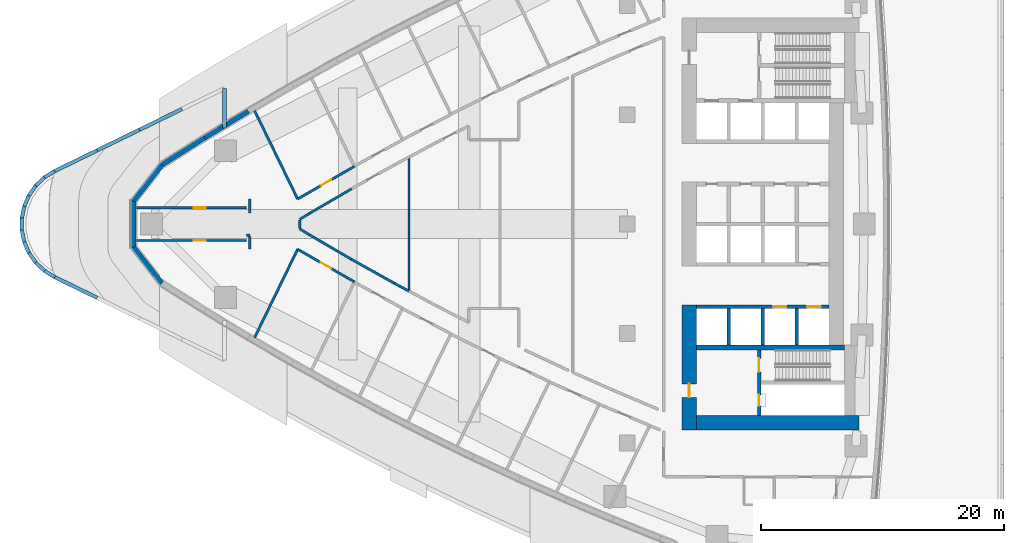
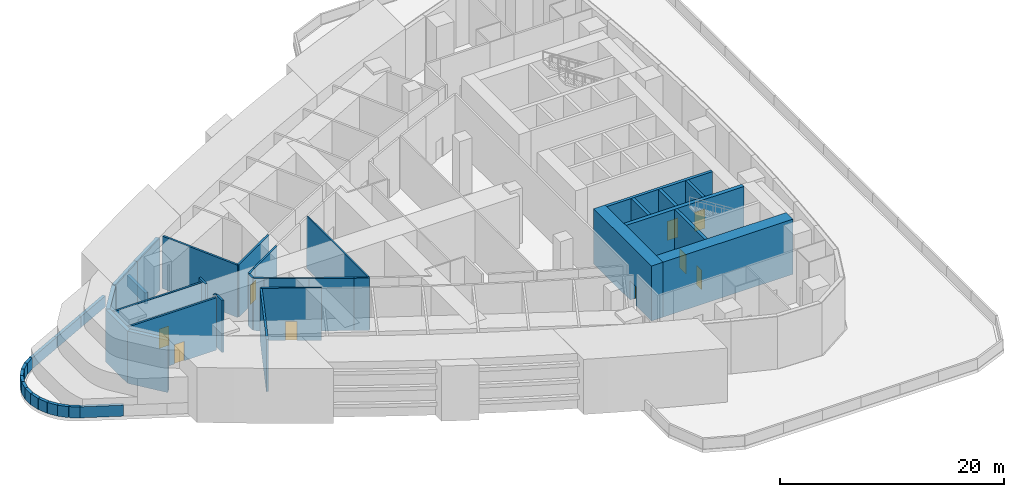
# One storey, part 3 of 14: 46 walls, 9 doors, 9 openings.
"""IFC4 building model written with IfcOpenShell, lengths in metres."""

from ifc_helpers import new_model, si_unit, direction, frame, frame_2d, origin, place, context, subcontext, project, spatial, polyline, rectangle, outline, extrude, material, layer, layer_set, type_object, element, fill, save


model = new_model("IFC4")

# Units and contexts
model_context = context("Model", 3, precision=1e-05, world=origin(), true_north=direction((0.0, 1.0)))
body_context = subcontext(model_context, "Body", "Model", "MODEL_VIEW")
ifc_project = project(units=[si_unit("LENGTHUNIT", "METRE"), si_unit("AREAUNIT", "SQUARE_METRE"), si_unit("VOLUMEUNIT", "CUBIC_METRE"), si_unit("PLANEANGLEUNIT", "RADIAN"), si_unit("MASSUNIT", "GRAM", prefix="KILO")], contexts=[model_context])

# Site, building, storey
site_placement = place(None, origin())
site = spatial("IfcSite", under=ifc_project, at=site_placement, CompositionType="ELEMENT")
building_placement = place(site_placement, origin())
building = spatial("IfcBuilding", under=site, at=building_placement, Name="Ostrand Prow Hotel Tower", CompositionType="ELEMENT")
storey_placement = place(building_placement, frame((0.0, 0.0, 29.0)))
storey = spatial("IfcBuildingStorey", under=building, at=storey_placement, Name="L05", CompositionType="ELEMENT", Elevation=29.0)

# Wall, opening, door
ifc_material_1 = material(Name="Concrete C80/95", Category="concrete")
ifc_layer_1 = layer(ifc_material_1, 1.199951171875)
ifc_layer_set_1 = layer_set([ifc_layer_1], Name="Concrete C80/95")
wall_type_1 = type_object("IfcWallType", Name="Core wall 1200 C80/95", PredefinedType="SHEAR", material=ifc_layer_set_1)
wall_1_placement = place(storey_placement, frame((50.10009765625, -16.949951171875, 0.0), z_axis=(0.0, 0.0, 1.0), x_axis=(0.0, 1.0, 0.0)))
wall_1 = element("IfcWall", 1, at=wall_1_placement, inside=storey, type_object=wall_type_1, Name="Core wall CW-W-S", PredefinedType="SHEAR", context=body_context, shape_type="SweptSolid", body=[
    extrude(rectangle(XDim=10.300048828125, YDim=1.199951171875, at=frame_2d((5.14990234375, 0.0))), origin(), (0.0, 0.0, 1.0), 6.0),
])
opening_1_placement = place(wall_1_placement, frame((2.699951171875, 0.0, 0.0)))
opening_1 = element("IfcOpeningElement", 2, at=opening_1_placement, cuts=wall_1, Name="Opening FD1", PredefinedType="OPENING", context=body_context, shape_type="SweptSolid", body=[
    extrude(rectangle(XDim=1.10009765625, YDim=2.10009765625, at=frame_2d((0.550048828125, 1.050048828125))), frame((0.0, 0.60986328125, 0.0), z_axis=(0.0, -1.0, 0.0), x_axis=(1.0, 0.0, 0.0)), (0.0, 0.0, 1.0), 1.219970703125),
])
ifc_material_2 = material(Name="Steel fire door", Category="steel")
door_type_1 = type_object("IfcDoorType", Name="Fire door 1100 EI120", OperationType="SINGLE_SWING_RIGHT", PredefinedType="DOOR", material=ifc_material_2)
door_1_placement = place(opening_1_placement, origin())
door_1 = element("IfcDoor", 3, at=door_1_placement, inside=storey, type_object=door_type_1, Name="FIRE DOOR", OperationType="SINGLE_SWING_RIGHT", OverallHeight=2.10009765625, OverallWidth=1.10009765625, PredefinedType="DOOR", context=body_context, shape_type="SweptSolid", body=[
    extrude(rectangle(XDim=1.10009765625, YDim=2.10009765625, at=frame_2d((0.550048828125, 1.050048828125))), frame((0.0, 0.02490234375, 0.0), z_axis=(0.0, -1.0, 0.0), x_axis=(1.0, 0.0, 0.0)), (0.0, 0.0, 1.0), 0.050048828125),
])
fill(opening_1, door_1)

# Wall
wall_2_placement = place(storey_placement, frame((50.699951171875, -16.35009765625, 0.0), z_axis=(0.0, 0.0, 1.0), x_axis=(1.0, 0.0, 0.0)))
element("IfcWall", 4, at=wall_2_placement, inside=storey, type_object=wall_type_1, Name="Core wall CW-S", PredefinedType="SHEAR", context=body_context, shape_type="SweptSolid", body=[
    extrude(rectangle(XDim=13.380126953125, YDim=1.199951171875, at=frame_2d((6.68994140625, 0.0))), origin(), (0.0, 0.0, 1.0), 6.0),
])

# Wall, openings, doors
ifc_material_3 = material(Name="Concrete C80/95", Category="concrete")
ifc_layer_2 = layer(ifc_material_3, 0.300048828125)
ifc_layer_set_2 = layer_set([ifc_layer_2], Name="Concrete C80/95")
wall_type_2 = type_object("IfcWallType", Name="Core wall 300 C80/95", PredefinedType="SHEAR", material=ifc_layer_set_2)
wall_3_placement = place(storey_placement, frame((50.699951171875, -6.800048828125, 0.0), z_axis=(0.0, 0.0, 1.0), x_axis=(1.0, 0.0, 0.0)))
wall_3 = element("IfcWall", 5, at=wall_3_placement, inside=storey, type_object=wall_type_2, Name="Core wall PW-L2-S", PredefinedType="SHEAR", context=body_context, shape_type="SweptSolid", body=[
    extrude(rectangle(XDim=10.900146484375, YDim=0.300048828125, at=frame_2d((5.4501953125, 0.0))), origin(), (0.0, 0.0, 1.0), 6.0),
])
opening_2_placement = place(wall_3_placement, frame((6.300048828125, 0.0, 0.0)))
opening_2 = element("IfcOpeningElement", 6, at=opening_2_placement, cuts=wall_3, Name="Opening LD", PredefinedType="OPENING", context=body_context, shape_type="SweptSolid", body=[
    extrude(rectangle(XDim=1.10009765625, YDim=2.10009765625, at=frame_2d((0.550048828125, 1.050048828125))), frame((0.0, 0.159912109375, 0.0), z_axis=(0.0, -1.0, 0.0), x_axis=(1.0, 0.0, 0.0)), (0.0, 0.0, 1.0), 0.320068359375),
])
opening_3_placement = place(wall_3_placement, frame((9.10009765625, 0.0, 0.0)))
opening_3 = element("IfcOpeningElement", 7, at=opening_3_placement, cuts=wall_3, Name="Opening LD", PredefinedType="OPENING", context=body_context, shape_type="SweptSolid", body=[
    extrude(rectangle(XDim=1.10009765625, YDim=2.10009765625, at=frame_2d((0.550048828125, 1.050048828125))), frame((0.0, 0.159912109375, 0.0), z_axis=(0.0, -1.0, 0.0), x_axis=(1.0, 0.0, 0.0)), (0.0, 0.0, 1.0), 0.320068359375),
])
ifc_material_4 = material(Name="Stainless steel door", Category="steel")
door_type_2 = type_object("IfcDoorType", Name="Lift landing door 1100", OperationType="DOUBLE_DOOR_SLIDING", PredefinedType="DOOR", material=ifc_material_4)
door_2_placement = place(opening_2_placement, origin())
door_2 = element("IfcDoor", 8, at=door_2_placement, inside=storey, type_object=door_type_2, Name="LIFT LANDING DOOR", OperationType="DOUBLE_DOOR_SLIDING", OverallHeight=2.10009765625, OverallWidth=1.10009765625, PredefinedType="DOOR", context=body_context, shape_type="SweptSolid", body=[
    extrude(rectangle(XDim=1.10009765625, YDim=2.10009765625, at=frame_2d((0.550048828125, 1.050048828125))), frame((0.0, 0.02490234375, 0.0), z_axis=(0.0, -1.0, 0.0), x_axis=(1.0, 0.0, 0.0)), (0.0, 0.0, 1.0), 0.050048828125),
])
fill(opening_2, door_2)
door_3_placement = place(opening_3_placement, origin())
door_3 = element("IfcDoor", 9, at=door_3_placement, inside=storey, type_object=door_type_2, Name="LIFT LANDING DOOR", OperationType="DOUBLE_DOOR_SLIDING", OverallHeight=2.10009765625, OverallWidth=1.10009765625, PredefinedType="DOOR", context=body_context, shape_type="SweptSolid", body=[
    extrude(rectangle(XDim=1.10009765625, YDim=2.10009765625, at=frame_2d((0.550048828125, 1.050048828125))), frame((0.0, 0.02490234375, 0.0), z_axis=(0.0, -1.0, 0.0), x_axis=(1.0, 0.0, 0.0)), (0.0, 0.0, 1.0), 0.050048828125),
])
fill(opening_3, door_3)

# Walls
for number, where, z_axis, x_axis, name in (
    (10, (53.35009765625, -9.949951171875, 0.0), (0.0, 0.0, 1.0), (0.0, 1.0, 0.0), "Core wall PW-R1-SA"),
    (11, (56.14990234375, -9.949951171875, 0.0), (0.0, 0.0, 1.0), (0.0, 1.0, 0.0), "Core wall PW-R2-SA"),
    (12, (58.949951171875, -9.949951171875, 0.0), (0.0, 0.0, 1.0), (0.0, 1.0, 0.0), "Core wall PW-R3-SA"),
):
    element("IfcWall", number, at=place(storey_placement, frame(where, z_axis=z_axis, x_axis=x_axis)), inside=storey, type_object=wall_type_2, Name=name, PredefinedType="SHEAR", context=body_context, shape_type="SweptSolid", body=[
        extrude(rectangle(XDim=3.0, YDim=0.300048828125, at=frame_2d((1.5, 0.0))), origin(), (0.0, 0.0, 1.0), 6.0),
    ])

# Wall, openings, doors
wall_4_placement = place(storey_placement, frame((55.85009765625, -15.75, 0.0), z_axis=(0.0, 0.0, 1.0), x_axis=(0.0, 1.0, 0.0)))
wall_4 = element("IfcWall", 13, at=wall_4_placement, inside=storey, type_object=wall_type_2, Name="Core wall PW-VS", PredefinedType="SHEAR", context=body_context, shape_type="SweptSolid", body=[
    extrude(rectangle(XDim=5.39990234375, YDim=0.300048828125, at=frame_2d((2.699951171875, 0.0))), origin(), (0.0, 0.0, 1.0), 6.0),
])
opening_4_placement = place(wall_4_placement, frame((3.60009765625, 0.0, 0.0)))
opening_4 = element("IfcOpeningElement", 14, at=opening_4_placement, cuts=wall_4, Name="Opening FD1", PredefinedType="OPENING", context=body_context, shape_type="SweptSolid", body=[
    extrude(rectangle(XDim=1.10009765625, YDim=2.10009765625, at=frame_2d((0.550048828125, 1.050048828125))), frame((0.0, 0.159912109375, 0.0), z_axis=(0.0, -1.0, 0.0), x_axis=(1.0, 0.0, 0.0)), (0.0, 0.0, 1.0), 0.320068359375),
])
opening_5_placement = place(wall_4_placement, frame((0.800048828125, 0.0, 0.0)))
opening_5 = element("IfcOpeningElement", 15, at=opening_5_placement, cuts=wall_4, Name="Opening FD2", PredefinedType="OPENING", context=body_context, shape_type="SweptSolid", body=[
    extrude(rectangle(XDim=0.89990234375, YDim=2.10009765625, at=frame_2d((0.449951171875, 1.050048828125))), frame((0.0, 0.159912109375, 0.0), z_axis=(0.0, -1.0, 0.0), x_axis=(1.0, 0.0, 0.0)), (0.0, 0.0, 1.0), 0.320068359375),
])
door_4_placement = place(opening_4_placement, origin())
door_4 = element("IfcDoor", 16, at=door_4_placement, inside=storey, type_object=door_type_1, Name="FIRE DOOR", OperationType="SINGLE_SWING_RIGHT", OverallHeight=2.10009765625, OverallWidth=1.10009765625, PredefinedType="DOOR", context=body_context, shape_type="SweptSolid", body=[
    extrude(rectangle(XDim=1.10009765625, YDim=2.10009765625, at=frame_2d((0.550048828125, 1.050048828125))), frame((0.0, 0.02490234375, 0.0), z_axis=(0.0, -1.0, 0.0), x_axis=(1.0, 0.0, 0.0)), (0.0, 0.0, 1.0), 0.050048828125),
])
fill(opening_4, door_4)
ifc_material_5 = material(Name="Steel fire door", Category="steel")
door_type_3 = type_object("IfcDoorType", Name="Fire door 900 EI120", OperationType="SINGLE_SWING_LEFT", PredefinedType="DOOR", material=ifc_material_5)
door_5_placement = place(opening_5_placement, origin())
door_5 = element("IfcDoor", 17, at=door_5_placement, inside=storey, type_object=door_type_3, Name="FIRE DOOR", OperationType="SINGLE_SWING_LEFT", OverallHeight=2.10009765625, OverallWidth=0.89990234375, PredefinedType="DOOR", context=body_context, shape_type="SweptSolid", body=[
    extrude(rectangle(XDim=0.89990234375, YDim=2.10009765625, at=frame_2d((0.449951171875, 1.050048828125))), frame((0.0, 0.02490234375, 0.0), z_axis=(0.0, -1.0, 0.0), x_axis=(1.0, 0.0, 0.0)), (0.0, 0.0, 1.0), 0.050048828125),
])
fill(opening_5, door_5)

# Walls
ifc_material_6 = material(Name="Concrete C80/95", Category="concrete")
ifc_layer_3 = layer(ifc_material_6, 0.39990234375)
ifc_layer_set_3 = layer_set([ifc_layer_3], Name="Concrete C80/95")
wall_type_3 = type_object("IfcWallType", Name="Core wall 400 C80/95", PredefinedType="SHEAR", material=ifc_layer_set_3)
wall_5_placement = place(storey_placement, frame((50.699951171875, -10.14990234375, 0.0), z_axis=(0.0, 0.0, 1.0), x_axis=(1.0, 0.0, 0.0)))
element("IfcWall", 18, at=wall_5_placement, inside=storey, type_object=wall_type_3, Name="Core wall PW-BS", PredefinedType="SHEAR", context=body_context, shape_type="SweptSolid", body=[
    extrude(rectangle(XDim=12.179931640625, YDim=0.39990234375, at=frame_2d((6.08984375, 0.0))), origin(), (0.0, 0.0, 1.0), 6.0),
])
ifc_material_7 = material(Name="Precast concrete C40/50", Category="concrete")
ifc_layer_4 = layer(ifc_material_7, 0.300048828125)
ifc_layer_set_4 = layer_set([ifc_layer_4], Name="Precast concrete C40/50")
wall_type_4 = type_object("IfcWallType", Name="Parapet 300 mm precast concrete", PredefinedType="PARAPET", material=ifc_layer_set_4)
wall_6_placement = place(storey_placement, frame((11.85009765625, 7.919677734375, 0.0), z_axis=(0.0, 0.0, 1.0), x_axis=(0.0, 1.0, 0.0)))
element("IfcWall", 19, at=wall_6_placement, inside=storey, type_object=wall_type_4, Name="Parapet 1.1.1", PredefinedType="PARAPET", context=body_context, shape_type="SweptSolid", body=[
    extrude(rectangle(XDim=3.2529296875, YDim=0.300048828125, at=frame_2d((1.62646484375, 0.0))), origin(), (0.0, 0.0, 1.0), 1.199951171875),
])
wall_7_placement = place(storey_placement, frame((8.35791015625, 9.47021484375, 0.0), z_axis=(0.0, 0.0, 1.0), x_axis=(-0.898856602105, -0.438242865148, 0.0)))
element("IfcWall", 20, at=wall_7_placement, inside=storey, type_object=wall_type_4, Name="Parapet 1.1.3", PredefinedType="PARAPET", context=body_context, shape_type="SweptSolid", body=[
    extrude(rectangle(XDim=3.88525390625, YDim=0.300048828125, at=frame_2d((1.942626953125, 0.0))), origin(), (0.0, 0.0, 1.0), 1.199951171875),
])
wall_8_placement = place(storey_placement, frame((4.86572265625, 7.767578125, 0.0), z_axis=(0.0, 0.0, 1.0), x_axis=(-0.898869287624, -0.438216845599, 0.0)))
element("IfcWall", 21, at=wall_8_placement, inside=storey, type_object=wall_type_4, Name="Parapet 1.1.4", PredefinedType="PARAPET", context=body_context, shape_type="SweptSolid", body=[
    extrude(rectangle(XDim=3.884765625, YDim=0.300048828125, at=frame_2d((1.9423828125, 0.0))), origin(), (0.0, 0.0, 1.0), 1.199951171875),
])
wall_9_placement = place(storey_placement, frame((1.373779296875, 6.065185546875, 0.0), z_axis=(0.0, 0.0, 1.0), x_axis=(-0.898881354941, -0.438192092282, 0.0)))
element("IfcWall", 22, at=wall_9_placement, inside=storey, type_object=wall_type_4, Name="Parapet 1.1.5", PredefinedType="PARAPET", context=body_context, shape_type="SweptSolid", body=[
    extrude(rectangle(XDim=3.885009765625, YDim=0.300048828125, at=frame_2d((1.9423828125, 0.0))), origin(), (0.0, 0.0, 1.0), 1.199951171875),
])
wall_10_placement = place(storey_placement, frame((-2.118408203125, 4.36279296875, 0.0), z_axis=(0.0, 0.0, 1.0), x_axis=(-0.849902691712, -0.526939668862, 0.0)))
element("IfcWall", 23, at=wall_10_placement, inside=storey, type_object=wall_type_4, Name="Parapet 1.1.6", PredefinedType="PARAPET", context=body_context, shape_type="SweptSolid", body=[
    extrude(rectangle(XDim=0.990966796875, YDim=0.300048828125, at=frame_2d((0.49560546875, 0.0))), origin(), (0.0, 0.0, 1.0), 1.199951171875),
])
for number, where, z_axis, x_axis, name in (
    (24, (-2.960693359375, 3.840576171875, 0.0), (0.0, 0.0, 1.0), (-0.725965731977, -0.687730874685, 0.0), "Parapet 1.1.7"),
    (25, (-3.674560546875, 3.164306640625, 0.0), (0.0, 0.0, 1.0), (-0.572278681089, -0.820059211991, 0.0), "Parapet 1.1.8"),
):
    element("IfcWall", number, at=place(storey_placement, frame(where, z_axis=z_axis, x_axis=x_axis)), inside=storey, type_object=wall_type_4, Name=name, PredefinedType="PARAPET", context=body_context, shape_type="SweptSolid", body=[
        extrude(rectangle(XDim=0.9833984375, YDim=0.300048828125, at=frame_2d((0.49169921875, 0.0))), origin(), (0.0, 0.0, 1.0), 1.199951171875),
    ])
wall_11_placement = place(storey_placement, frame((-4.2373046875, 2.35791015625, 0.0), z_axis=(0.0, 0.0, 1.0), x_axis=(-0.395327416851, -0.918540273198, 0.0)))
element("IfcWall", 26, at=wall_11_placement, inside=storey, type_object=wall_type_4, Name="Parapet 1.1.9", PredefinedType="PARAPET", context=body_context, shape_type="SweptSolid", body=[
    extrude(rectangle(XDim=0.983154296875, YDim=0.300048828125, at=frame_2d((0.49169921875, 0.0))), origin(), (0.0, 0.0, 1.0), 1.199951171875),
])
for number, where, z_axis, x_axis, name in (
    (27, (-4.6259765625, 1.454833984375, 0.0), (0.0, 0.0, 1.0), (-0.201603882415, -0.979467138088, 0.0), "Parapet 1.1.10"),
    (28, (-4.82421875, 0.49169921875, 0.0), (0.0, 0.0, 1.0), (0.0, -1.0, 0.0), "Parapet 1.1.11"),
    (29, (-4.82421875, -0.49169921875, 0.0), (0.0, 0.0, 1.0), (0.201603882415, -0.979467138088, 0.0), "Parapet 1.1.12"),
):
    element("IfcWall", number, at=place(storey_placement, frame(where, z_axis=z_axis, x_axis=x_axis)), inside=storey, type_object=wall_type_4, Name=name, PredefinedType="PARAPET", context=body_context, shape_type="SweptSolid", body=[
        extrude(rectangle(XDim=0.9833984375, YDim=0.300048828125, at=frame_2d((0.49169921875, 0.0))), origin(), (0.0, 0.0, 1.0), 1.199951171875),
    ])
wall_12_placement = place(storey_placement, frame((-4.6259765625, -1.454833984375, 0.0), z_axis=(0.0, 0.0, 1.0), x_axis=(0.395327416851, -0.918540273198, 0.0)))
element("IfcWall", 30, at=wall_12_placement, inside=storey, type_object=wall_type_4, Name="Parapet 1.1.13", PredefinedType="PARAPET", context=body_context, shape_type="SweptSolid", body=[
    extrude(rectangle(XDim=0.983154296875, YDim=0.300048828125, at=frame_2d((0.49169921875, 0.0))), origin(), (0.0, 0.0, 1.0), 1.199951171875),
])
for number, where, z_axis, x_axis, name in (
    (31, (-4.2373046875, -2.35791015625, 0.0), (0.0, 0.0, 1.0), (0.572278681089, -0.820059211991, 0.0), "Parapet 1.1.14"),
    (32, (-3.674560546875, -3.164306640625, 0.0), (0.0, 0.0, 1.0), (0.725965731977, -0.687730874685, 0.0), "Parapet 1.1.15"),
):
    element("IfcWall", number, at=place(storey_placement, frame(where, z_axis=z_axis, x_axis=x_axis)), inside=storey, type_object=wall_type_4, Name=name, PredefinedType="PARAPET", context=body_context, shape_type="SweptSolid", body=[
        extrude(rectangle(XDim=0.9833984375, YDim=0.300048828125, at=frame_2d((0.49169921875, 0.0))), origin(), (0.0, 0.0, 1.0), 1.199951171875),
    ])
wall_13_placement = place(storey_placement, frame((-2.960693359375, -3.840576171875, 0.0), z_axis=(0.0, 0.0, 1.0), x_axis=(0.849902691712, -0.526939668862, 0.0)))
element("IfcWall", 33, at=wall_13_placement, inside=storey, type_object=wall_type_4, Name="Parapet 1.1.16", PredefinedType="PARAPET", context=body_context, shape_type="SweptSolid", body=[
    extrude(rectangle(XDim=0.990966796875, YDim=0.300048828125, at=frame_2d((0.49560546875, 0.0))), origin(), (0.0, 0.0, 1.0), 1.199951171875),
])
wall_14_placement = place(storey_placement, frame((-2.118408203125, -4.36279296875, 0.0), z_axis=(0.0, 0.0, 1.0), x_axis=(0.898881354941, -0.438192092282, 0.0)))
element("IfcWall", 34, at=wall_14_placement, inside=storey, type_object=wall_type_4, Name="Parapet 1.1.17", PredefinedType="PARAPET", context=body_context, shape_type="SweptSolid", body=[
    extrude(rectangle(XDim=3.885009765625, YDim=0.300048828125, at=frame_2d((1.9423828125, 0.0))), origin(), (0.0, 0.0, 1.0), 1.199951171875),
])
ifc_material_8 = material(Name="Plasterboard partition")
ifc_layer_5 = layer(ifc_material_8, 0.14990234375)
ifc_layer_set_5 = layer_set([ifc_layer_5], Name="Plasterboard partition")
wall_type_5 = type_object("IfcWallType", Name="Partition 150 room partition", PredefinedType="PARTITIONING", material=ifc_layer_set_5)
wall_15_placement = place(storey_placement, frame((27.034912109375, -5.514892578125, 0.0), z_axis=(0.0, 0.0, 1.0), x_axis=(0.0, 1.0, 0.0)))
element("IfcWall", 35, at=wall_15_placement, inside=storey, type_object=wall_type_5, Name="ROOM PARTITION", PredefinedType="PARTITIONING", context=body_context, shape_type="SweptSolid", body=[
    extrude(rectangle(XDim=11.02978515625, YDim=0.14990234375, at=frame_2d((5.514892578125, 0.0))), origin(), (0.0, 0.0, 1.0), 5.699951171875),
])

# Wall, opening, door
ifc_material_9 = material(Name="Plasterboard partition")
ifc_layer_6 = layer(ifc_material_9, 0.199951171875)
ifc_layer_set_6 = layer_set([ifc_layer_6], Name="Plasterboard partition")
wall_type_6 = type_object("IfcWallType", Name="Partition 200 corridor wall", PredefinedType="PARTITIONING", material=ifc_layer_set_6)
wall_16_placement = place(storey_placement, frame((17.87353515625, 2.068115234375, 0.0), z_axis=(0.0, 0.0, 1.0), x_axis=(0.867093061484, 0.4981461861, 0.0)))
wall_16 = element("IfcWall", 36, at=wall_16_placement, inside=storey, type_object=wall_type_6, Name="CORRIDOR WALL", PredefinedType="PARTITIONING", context=body_context, shape_type="SweptSolid", body=[
    extrude(rectangle(XDim=5.39306640625, YDim=0.199951171875, at=frame_2d((2.696533203125, 0.0))), origin(), (0.0, 0.0, 1.0), 5.699951171875),
])
opening_6_placement = place(wall_16_placement, frame((2.196533203125, 0.0, 0.0)))
opening_6 = element("IfcOpeningElement", 37, at=opening_6_placement, cuts=wall_16, Name="Opening D1", PredefinedType="OPENING", context=body_context, shape_type="SweptSolid", body=[
    extrude(rectangle(XDim=1.0, YDim=2.10009765625, at=frame_2d((0.5, 1.050048828125))), frame((0.0, 0.10986328125, 0.0), z_axis=(0.0, -1.0, 0.0), x_axis=(1.0, 0.0, 0.0)), (0.0, 0.0, 1.0), 0.219970703125),
])
ifc_material_10 = material(Name="Timber door leaf", Category="wood")
door_type_4 = type_object("IfcDoorType", Name="Guest room door 1000", OperationType="SINGLE_SWING_LEFT", PredefinedType="DOOR", material=ifc_material_10)
door_6_placement = place(opening_6_placement, origin())
door_6 = element("IfcDoor", 38, at=door_6_placement, inside=storey, type_object=door_type_4, Name="DOOR", OperationType="SINGLE_SWING_LEFT", OverallHeight=2.10009765625, OverallWidth=1.0, PredefinedType="DOOR", context=body_context, shape_type="SweptSolid", body=[
    extrude(rectangle(XDim=1.0, YDim=2.10009765625, at=frame_2d((0.5, 1.050048828125))), frame((0.0, 0.02490234375, 0.0), z_axis=(0.0, -1.0, 0.0), x_axis=(1.0, 0.0, 0.0)), (0.0, 0.0, 1.0), 0.050048828125),
])
fill(opening_6, door_6)

wall_17_placement = place(storey_placement, frame((17.87353515625, -2.068115234375, 0.0), z_axis=(0.0, 0.0, 1.0), x_axis=(0.867093061484, -0.4981461861, 0.0)))
wall_17 = element("IfcWall", 39, at=wall_17_placement, inside=storey, type_object=wall_type_6, Name="CORRIDOR WALL", PredefinedType="PARTITIONING", context=body_context, shape_type="SweptSolid", body=[
    extrude(rectangle(XDim=5.39306640625, YDim=0.199951171875, at=frame_2d((2.696533203125, 0.0))), origin(), (0.0, 0.0, 1.0), 5.699951171875),
])
opening_7_placement = place(wall_17_placement, frame((2.196533203125, 0.0, 0.0)))
opening_7 = element("IfcOpeningElement", 40, at=opening_7_placement, cuts=wall_17, Name="Opening D1R", PredefinedType="OPENING", context=body_context, shape_type="SweptSolid", body=[
    extrude(rectangle(XDim=1.0, YDim=2.10009765625, at=frame_2d((0.5, 1.050048828125))), frame((0.0, 0.10986328125, 0.0), z_axis=(0.0, -1.0, 0.0), x_axis=(1.0, 0.0, 0.0)), (0.0, 0.0, 1.0), 0.219970703125),
])
ifc_material_11 = material(Name="Timber door leaf", Category="wood")
door_type_5 = type_object("IfcDoorType", Name="Guest room door 1000 right", OperationType="SINGLE_SWING_RIGHT", PredefinedType="DOOR", material=ifc_material_11)
door_7_placement = place(opening_7_placement, origin())
door_7 = element("IfcDoor", 41, at=door_7_placement, inside=storey, type_object=door_type_5, Name="DOOR", OperationType="SINGLE_SWING_RIGHT", OverallHeight=2.10009765625, OverallWidth=1.0, PredefinedType="DOOR", context=body_context, shape_type="SweptSolid", body=[
    extrude(rectangle(XDim=1.0, YDim=2.10009765625, at=frame_2d((0.5, 1.050048828125))), frame((0.0, 0.02490234375, 0.0), z_axis=(0.0, -1.0, 0.0), x_axis=(1.0, 0.0, 0.0)), (0.0, 0.0, 1.0), 0.050048828125),
])
fill(opening_7, door_7)

# Walls
wall_18_placement = place(storey_placement, frame((27.034912109375, -5.514892578125, 0.0), z_axis=(0.0, 0.0, 1.0), x_axis=(-0.881676934622, 0.471853560922, 0.0)))
element("IfcWall", 42, at=wall_18_placement, inside=storey, type_object=wall_type_6, Name="CORRIDOR WALL", PredefinedType="PARTITIONING", context=body_context, shape_type="SweptSolid", body=[
    extrude(rectangle(XDim=1.381591796875, YDim=0.199951171875, at=frame_2d((0.69091796875, 0.0))), origin(), (0.0, 0.0, 1.0), 5.699951171875),
])
wall_19_placement = place(storey_placement, frame((25.81689453125, -4.863037109375, 0.0), z_axis=(0.0, 0.0, 1.0), x_axis=(-0.872800289292, 0.488077509225, 0.0)))
element("IfcWall", 43, at=wall_19_placement, inside=storey, type_object=wall_type_6, Name="CORRIDOR WALL", PredefinedType="PARTITIONING", context=body_context, shape_type="SweptSolid", body=[
    extrude(rectangle(XDim=4.015625, YDim=0.199951171875, at=frame_2d((2.0078125, 0.0))), origin(), (0.0, 0.0, 1.0), 5.699951171875),
])
wall_20_placement = place(storey_placement, frame((22.31201171875, -2.903076171875, 0.0), z_axis=(0.0, 0.0, 1.0), x_axis=(-0.863710538269, 0.503988200341, 0.0)))
element("IfcWall", 44, at=wall_20_placement, inside=storey, type_object=wall_type_6, Name="CORRIDOR WALL", PredefinedType="PARTITIONING", context=body_context, shape_type="SweptSolid", body=[
    extrude(rectangle(XDim=4.015869140625, YDim=0.199951171875, at=frame_2d((2.0078125, 0.0))), origin(), (0.0, 0.0, 1.0), 5.699951171875),
])
for number, where, z_axis, x_axis, name in (
    (45, (18.843505859375, -0.879150390625, 0.0), (0.0, 0.0, 1.0), (-0.8542290073, 0.519896915828, 0.0), "CORRIDOR WALL"),
    (46, (18.050048828125, 0.396240234375, 0.0), (0.0, 0.0, 1.0), (0.8542290073, 0.519896915828, 0.0), "CORRIDOR WALL"),
):
    element("IfcWall", number, at=place(storey_placement, frame(where, z_axis=z_axis, x_axis=x_axis)), inside=storey, type_object=wall_type_6, Name=name, PredefinedType="PARTITIONING", context=body_context, shape_type="SweptSolid", body=[
        extrude(rectangle(XDim=0.928955078125, YDim=0.199951171875, at=frame_2d((0.46435546875, 0.0))), origin(), (0.0, 0.0, 1.0), 5.699951171875),
    ])
wall_21_placement = place(storey_placement, frame((18.843505859375, 0.879150390625, 0.0), z_axis=(0.0, 0.0, 1.0), x_axis=(0.863710538269, 0.503988200341, 0.0)))
element("IfcWall", 47, at=wall_21_placement, inside=storey, type_object=wall_type_6, Name="CORRIDOR WALL", PredefinedType="PARTITIONING", context=body_context, shape_type="SweptSolid", body=[
    extrude(rectangle(XDim=4.015869140625, YDim=0.199951171875, at=frame_2d((2.0078125, 0.0))), origin(), (0.0, 0.0, 1.0), 5.699951171875),
])

# Wall, opening, door
wall_22_placement = place(storey_placement, frame((4.595703125, 1.35009765625, 0.0), z_axis=(0.0, 0.0, 1.0), x_axis=(1.0, 0.0, 0.0)))
wall_22 = element("IfcWall", 48, at=wall_22_placement, inside=storey, type_object=wall_type_6, Name="CORRIDOR WALL", PredefinedType="PARTITIONING", context=body_context, shape_type="SweptSolid", body=[
    extrude(rectangle(XDim=9.05419921875, YDim=0.199951171875, at=frame_2d((4.527099609375, 0.0))), origin(), (0.0, 0.0, 1.0), 5.699951171875),
])
opening_8_placement = place(wall_22_placement, frame((4.726806640625, 0.0, 0.0)))
opening_8 = element("IfcOpeningElement", 49, at=opening_8_placement, cuts=wall_22, Name="Opening D1", PredefinedType="OPENING", context=body_context, shape_type="SweptSolid", body=[
    extrude(rectangle(XDim=1.0, YDim=2.10009765625, at=frame_2d((0.5, 1.050048828125))), frame((0.0, 0.10986328125, 0.0), z_axis=(0.0, -1.0, 0.0), x_axis=(1.0, 0.0, 0.0)), (0.0, 0.0, 1.0), 0.219970703125),
])
door_8_placement = place(opening_8_placement, origin())
door_8 = element("IfcDoor", 50, at=door_8_placement, inside=storey, type_object=door_type_4, Name="DOOR", OperationType="SINGLE_SWING_LEFT", OverallHeight=2.10009765625, OverallWidth=1.0, PredefinedType="DOOR", context=body_context, shape_type="SweptSolid", body=[
    extrude(rectangle(XDim=1.0, YDim=2.10009765625, at=frame_2d((0.5, 1.050048828125))), frame((0.0, 0.02490234375, 0.0), z_axis=(0.0, -1.0, 0.0), x_axis=(1.0, 0.0, 0.0)), (0.0, 0.0, 1.0), 0.050048828125),
])
fill(opening_8, door_8)

wall_23_placement = place(storey_placement, frame((4.595703125, -1.35009765625, 0.0), z_axis=(0.0, 0.0, 1.0), x_axis=(1.0, 0.0, 0.0)))
wall_23 = element("IfcWall", 51, at=wall_23_placement, inside=storey, type_object=wall_type_6, Name="CORRIDOR WALL", PredefinedType="PARTITIONING", context=body_context, shape_type="SweptSolid", body=[
    extrude(rectangle(XDim=9.05419921875, YDim=0.199951171875, at=frame_2d((4.527099609375, 0.0))), origin(), (0.0, 0.0, 1.0), 5.699951171875),
])
opening_9_placement = place(wall_23_placement, frame((4.726806640625, 0.0, 0.0)))
opening_9 = element("IfcOpeningElement", 52, at=opening_9_placement, cuts=wall_23, Name="Opening D1R", PredefinedType="OPENING", context=body_context, shape_type="SweptSolid", body=[
    extrude(rectangle(XDim=1.0, YDim=2.10009765625, at=frame_2d((0.5, 1.050048828125))), frame((0.0, 0.10986328125, 0.0), z_axis=(0.0, -1.0, 0.0), x_axis=(1.0, 0.0, 0.0)), (0.0, 0.0, 1.0), 0.219970703125),
])
door_9_placement = place(opening_9_placement, origin())
door_9 = element("IfcDoor", 53, at=door_9_placement, inside=storey, type_object=door_type_5, Name="DOOR", OperationType="SINGLE_SWING_RIGHT", OverallHeight=2.10009765625, OverallWidth=1.0, PredefinedType="DOOR", context=body_context, shape_type="SweptSolid", body=[
    extrude(rectangle(XDim=1.0, YDim=2.10009765625, at=frame_2d((0.5, 1.050048828125))), frame((0.0, 0.02490234375, 0.0), z_axis=(0.0, -1.0, 0.0), x_axis=(1.0, 0.0, 0.0)), (0.0, 0.0, 1.0), 0.050048828125),
])
fill(opening_9, door_9)

# Walls
wall_24_placement = place(storey_placement, frame((18.054931640625, -0.356689453125, 0.0), z_axis=(0.0, 0.0, 1.0), x_axis=(0.0, 1.0, 0.0)))
element("IfcWall", 54, at=wall_24_placement, inside=storey, type_object=wall_type_6, Name="CORRIDOR WALL", PredefinedType="PARTITIONING", context=body_context, shape_type="SweptSolid", body=[
    extrude(rectangle(XDim=0.71337890625, YDim=0.199951171875, at=frame_2d((0.356689453125, 0.0))), origin(), (0.0, 0.0, 1.0), 5.699951171875),
])
wall_25_placement = place(storey_placement, frame((13.945556640625, 2.052490234375, 0.0), z_axis=(0.0, 0.0, 1.0), x_axis=(-0.000423818568, -0.999999910189, 0.0)))
element("IfcWall", 55, at=wall_25_placement, inside=storey, type_object=wall_type_6, Name="CORRIDOR WALL", PredefinedType="PARTITIONING", context=body_context, shape_type="SweptSolid", body=[
    extrude(rectangle(XDim=1.152099609375, YDim=0.199951171875, at=frame_2d((0.576171875, 0.0))), origin(), (0.0, 0.0, 1.0), 5.699951171875),
])
wall_26_placement = place(storey_placement, frame((13.64990234375, -0.89990234375, 0.0), z_axis=(0.0, 0.0, 1.0), x_axis=(0.99999876, -0.001574801197, 0.0)))
element("IfcWall", 56, at=wall_26_placement, inside=storey, type_object=wall_type_6, Name="CORRIDOR WALL", PredefinedType="PARTITIONING", context=body_context, shape_type="SweptSolid", body=[
    extrude(rectangle(XDim=0.31005859375, YDim=0.199951171875, at=frame_2d((0.155029296875, 0.0))), origin(), (0.0, 0.0, 1.0), 5.699951171875),
])
wall_27_placement = place(storey_placement, frame((13.945068359375, -1.0205078125, 0.0), z_axis=(0.0, 0.0, 1.0), x_axis=(0.000473148752, -0.999999888065, 0.0)))
element("IfcWall", 57, at=wall_27_placement, inside=storey, type_object=wall_type_6, Name="CORRIDOR WALL", PredefinedType="PARTITIONING", context=body_context, shape_type="SweptSolid", body=[
    extrude(rectangle(XDim=1.031982421875, YDim=0.199951171875, at=frame_2d((0.51611328125, 0.0))), origin(), (0.0, 0.0, 1.0), 5.699951171875),
])
ifc_material_12 = material(Name="Plasterboard partition")
ifc_layer_7 = layer(ifc_material_12, 0.199951171875)
ifc_layer_set_7 = layer_set([ifc_layer_7], Name="Plasterboard partition")
wall_type_7 = type_object("IfcWallType", Name="Partition 200 key partition", PredefinedType="PARTITIONING", material=ifc_layer_set_7)
for number, where, z_axis, x_axis, name in (
    (58, (17.88232421875, 2.050048828125, 0.0), (0.0, 0.0, 1.0), (-0.43821747413, 0.898868981202, 0.0), "KEY PARTITION"),
    (59, (14.334228515625, -9.327880859375, 0.0), (0.0, 0.0, 1.0), (0.43821747413, 0.898868981202, 0.0), "KEY PARTITION"),
):
    element("IfcWall", number, at=place(storey_placement, frame(where, z_axis=z_axis, x_axis=x_axis)), inside=storey, type_object=wall_type_7, Name=name, PredefinedType="PARTITIONING", context=body_context, shape_type="SweptSolid", body=[
        extrude(rectangle(XDim=8.0966796875, YDim=0.199951171875, at=frame_2d((4.04833984375, 0.0))), origin(), (0.0, 0.0, 1.0), 5.699951171875),
    ])
ifc_material_13 = material(Name="Precast concrete C40/50", Category="concrete")
ifc_layer_8 = layer(ifc_material_13, 0.39990234375)
ifc_layer_set_8 = layer_set([ifc_layer_8], Name="Precast concrete C40/50")
wall_type_8 = type_object("IfcWallType", Name="Stone-faced precast wall 400 mm", PredefinedType="NOTDEFINED", material=ifc_layer_set_8)
wall_28_placement = place(storey_placement, frame((6.697998046875, 4.86962890625, 0.0), z_axis=(0.0, 0.0, 1.0), x_axis=(-0.616586647779, -0.787287054245, 0.0)))
element("IfcWall", 60, at=wall_28_placement, inside=storey, type_object=wall_type_8, Name="Stone-faced wall prow 1", PredefinedType="NOTDEFINED", context=body_context, shape_type="SweptSolid", body=[
    extrude(outline(polyline([(0.0, -0.199951171875), (3.85205078125, -0.199951171875), (3.7138671875, 0.199951171875), (0.0, 0.199951171875), (0.0, -0.199951171875)])), origin(), (0.0, 0.0, 1.0), 5.699951171875),
])
wall_29_placement = place(storey_placement, frame((4.365478515625, 1.891357421875, 0.0), z_axis=(0.0, 0.0, 1.0), x_axis=(0.0, -1.0, 0.0)))
element("IfcWall", 61, at=wall_29_placement, inside=storey, type_object=wall_type_8, Name="Stone-faced wall prow 2", PredefinedType="NOTDEFINED", context=body_context, shape_type="SweptSolid", body=[
    extrude(outline(polyline([(-0.069091796875, -0.199951171875), (3.851806640625, -0.199951171875), (3.713623046875, 0.199951171875), (0.069091796875, 0.199951171875), (-0.069091796875, -0.199951171875)])), origin(), (0.0, 0.0, 1.0), 5.699951171875),
])
wall_30_placement = place(storey_placement, frame((4.365478515625, -1.891357421875, 0.0), z_axis=(0.0, 0.0, 1.0), x_axis=(0.616586647779, -0.787287054245, 0.0)))
element("IfcWall", 62, at=wall_30_placement, inside=storey, type_object=wall_type_8, Name="Stone-faced wall prow 3", PredefinedType="NOTDEFINED", context=body_context, shape_type="SweptSolid", body=[
    extrude(outline(polyline([(-0.069091796875, -0.199951171875), (3.8173828125, -0.199951171875), (3.74853515625, 0.199951171875), (0.069091796875, 0.199951171875), (-0.069091796875, -0.199951171875)])), origin(), (0.0, 0.0, 1.0), 5.699951171875),
])
wall_31_placement = place(storey_placement, frame((13.826416015625, 9.2978515625, 0.0), z_axis=(0.0, 0.0, 1.0), x_axis=(-0.854262587683, -0.519841736767, 0.0)))
element("IfcWall", 63, at=wall_31_placement, inside=storey, type_object=wall_type_8, Name="Stone-faced wall prow 45", PredefinedType="NOTDEFINED", context=body_context, shape_type="SweptSolid", body=[
    extrude(outline(polyline([(-0.001708984375, -0.199951171875), (4.197998046875, -0.199951171875), (4.194580078125, 0.199951171875), (0.001708984375, 0.199951171875), (-0.001708984375, -0.199951171875)])), origin(), (0.0, 0.0, 1.0), 5.699951171875),
])
wall_32_placement = place(storey_placement, frame((10.24169921875, 7.116455078125, 0.0), z_axis=(0.0, 0.0, 1.0), x_axis=(-0.844551578623, -0.535474211372, 0.0)))
element("IfcWall", 64, at=wall_32_placement, inside=storey, type_object=wall_type_8, Name="Stone-faced wall prow 46", PredefinedType="NOTDEFINED", context=body_context, shape_type="SweptSolid", body=[
    extrude(outline(polyline([(-0.001708984375, -0.199951171875), (4.196044921875, -0.199951171875), (4.196044921875, 0.199951171875), (0.001708984375, 0.199951171875), (-0.001708984375, -0.199951171875)])), origin(), (0.0, 0.0, 1.0), 5.699951171875),
])

save(model, "model.ifc")
